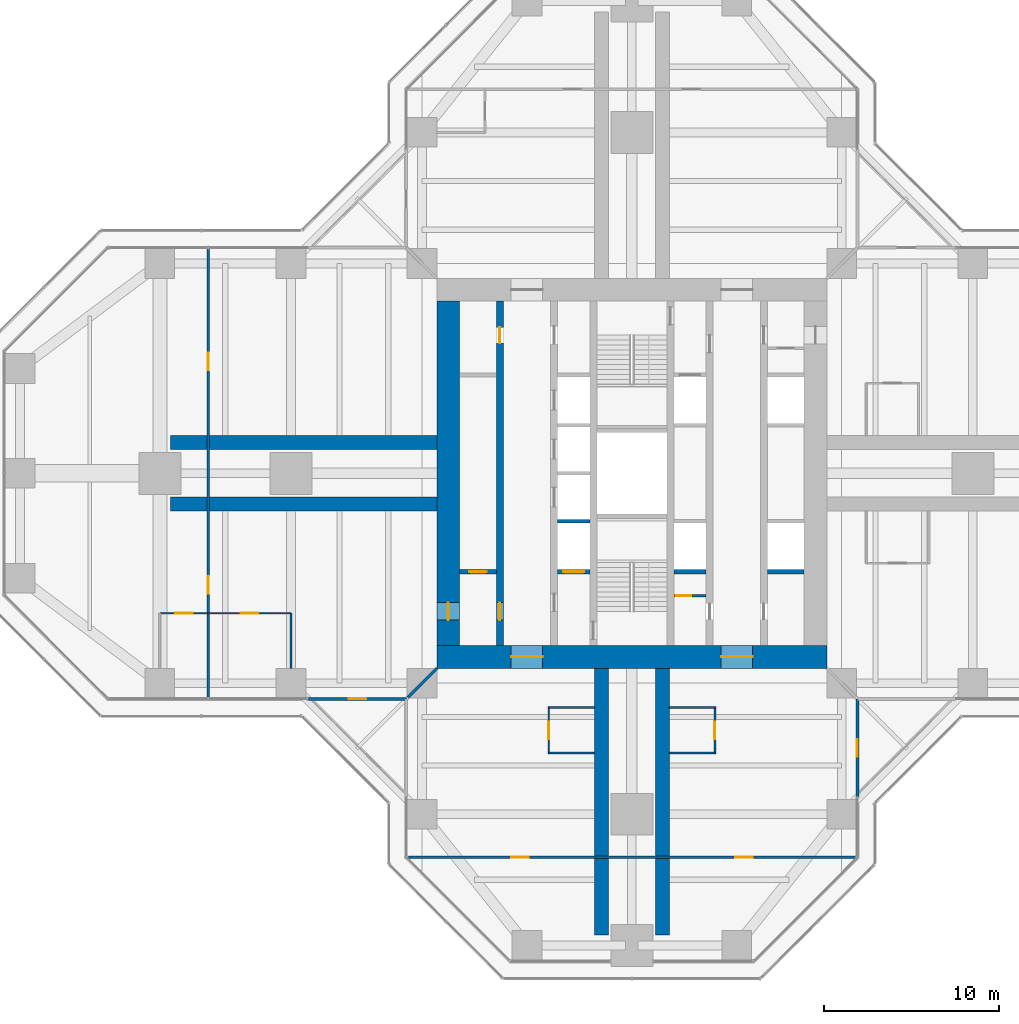
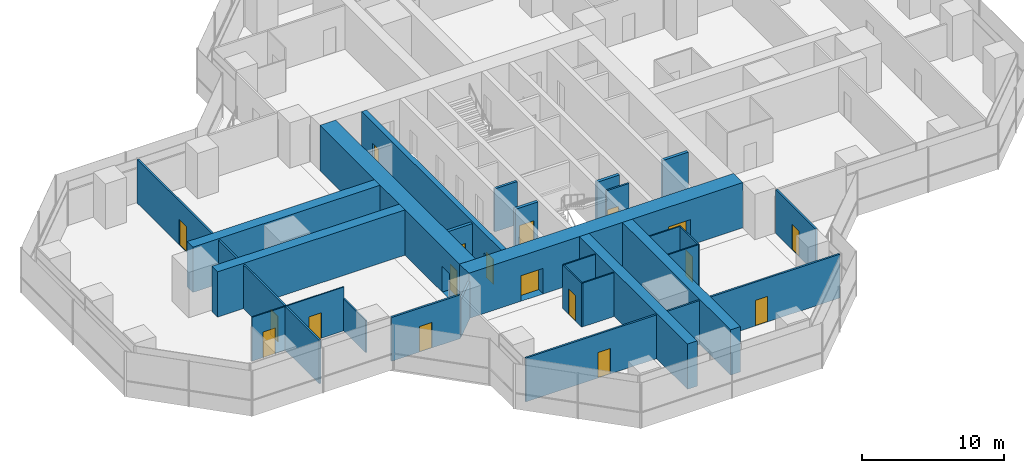
# One storey, part 15 of 19: 27 walls, 18 doors, 18 openings.
"""IFC4 building model written with IfcOpenShell, lengths in metres."""

from ifc_helpers import new_model, si_unit, direction, frame, frame_2d, origin, place, context, subcontext, project, spatial, rectangle, extrude, material, layer, layer_set, type_object, element, fill, save


model = new_model("IFC4")

# Units and contexts
model_context = context("Model", 3, precision=1e-05, world=origin(), true_north=direction((0.0, 1.0)))
body_context = subcontext(model_context, "Body", "Model", "MODEL_VIEW")
ifc_project = project(units=[si_unit("LENGTHUNIT", "METRE"), si_unit("AREAUNIT", "SQUARE_METRE"), si_unit("VOLUMEUNIT", "CUBIC_METRE"), si_unit("PLANEANGLEUNIT", "RADIAN"), si_unit("MASSUNIT", "GRAM", prefix="KILO")], contexts=[model_context])

# Site, building, storey
site_placement = place(None, origin())
site = spatial("IfcSite", under=ifc_project, at=site_placement, CompositionType="ELEMENT")
building_placement = place(site_placement, origin())
building = spatial("IfcBuilding", under=site, at=building_placement, Name="Mizan Broadcast Tower", CompositionType="ELEMENT")
storey_placement = place(building_placement, frame((0.0, 0.0, 186.60009765625)))
storey = spatial("IfcBuildingStorey", under=building, at=storey_placement, Name="L43", CompositionType="ELEMENT", Elevation=186.60009765625)

# Wall, openings, doors
ifc_material_1 = material(Name="Concrete C70/85", Category="concrete")
ifc_layer_1 = layer(ifc_material_1, 0.39990234375)
ifc_layer_set_1 = layer_set([ifc_layer_1], Name="Concrete C70/85")
wall_type_1 = type_object("IfcWallType", Name="CORE INTERNAL WALL 400", PredefinedType="SHEAR", material=ifc_layer_set_1)
wall_1_placement = place(storey_placement, frame((-7.550048828125, -9.85009765625, 0.0), z_axis=(0.0, 0.0, 1.0), x_axis=(0.0, 1.0, 0.0)))
wall_1 = element("IfcWall", 1, at=wall_1_placement, inside=storey, type_object=wall_type_1, Name="Core wall CORE/XW1", PredefinedType="SHEAR", context=body_context, shape_type="SweptSolid", body=[
    extrude(rectangle(XDim=19.7001953125, YDim=0.39990234375, at=frame_2d((9.85009765625, 0.0))), origin(), (0.0, 0.0, 1.0), 3.89990234375),
])
opening_1_placement = place(wall_1_placement, frame((1.449951171875, 0.0, 0.0)))
opening_1 = element("IfcOpeningElement", 2, at=opening_1_placement, cuts=wall_1, Name="Opening D10F", PredefinedType="OPENING", context=body_context, shape_type="SweptSolid", body=[
    extrude(rectangle(XDim=1.0, YDim=2.199951171875, at=frame_2d((0.5, 1.10009765625))), frame((0.0, 0.2099609375, 0.0), z_axis=(0.0, -1.0, 0.0), x_axis=(1.0, 0.0, 0.0)), (0.0, 0.0, 1.0), 0.419921875),
])
opening_2_placement = place(wall_1_placement, frame((17.300048828125, 0.0, 0.0)))
opening_2 = element("IfcOpeningElement", 3, at=opening_2_placement, cuts=wall_1, Name="Opening D09", PredefinedType="OPENING", context=body_context, shape_type="SweptSolid", body=[
    extrude(rectangle(XDim=0.89990234375, YDim=2.10009765625, at=frame_2d((0.449951171875, 1.050048828125))), frame((0.0, 0.2099609375, 0.0), z_axis=(0.0, -1.0, 0.0), x_axis=(1.0, 0.0, 0.0)), (0.0, 0.0, 1.0), 0.419921875),
])
ifc_material_2 = material(Name="Steel door leaf in steel frame", Category="steel")
door_type_1 = type_object("IfcDoorType", Name="FIRE DOOR 1000 FD90", OperationType="SINGLE_SWING_LEFT", PredefinedType="DOOR", material=ifc_material_2)
door_1_placement = place(opening_1_placement, origin())
door_1 = element("IfcDoor", 4, at=door_1_placement, inside=storey, type_object=door_type_1, Name="West core passage door", OperationType="SINGLE_SWING_LEFT", OverallHeight=2.199951171875, OverallWidth=1.0, PredefinedType="DOOR", context=body_context, shape_type="SweptSolid", body=[
    extrude(rectangle(XDim=1.0, YDim=2.199951171875, at=frame_2d((0.5, 1.10009765625))), frame((0.0, 0.02490234375, 0.0), z_axis=(0.0, -1.0, 0.0), x_axis=(1.0, 0.0, 0.0)), (0.0, 0.0, 1.0), 0.050048828125),
])
fill(opening_1, door_1)
ifc_material_3 = material(Name="Timber door leaf in aluminium frame", Category="wood")
door_type_2 = type_object("IfcDoorType", Name="TOILET DOOR 900", OperationType="SINGLE_SWING_LEFT", PredefinedType="DOOR", material=ifc_material_3)
door_2_placement = place(opening_2_placement, origin())
door_2 = element("IfcDoor", 5, at=door_2_placement, inside=storey, type_object=door_type_2, Name="Male WC door", OperationType="SINGLE_SWING_RIGHT", OverallHeight=2.10009765625, OverallWidth=0.89990234375, PredefinedType="DOOR", context=body_context, shape_type="SweptSolid", body=[
    extrude(rectangle(XDim=0.89990234375, YDim=2.10009765625, at=frame_2d((0.449951171875, 1.050048828125))), frame((0.0, 0.02490234375, 0.0), z_axis=(0.0, -1.0, 0.0), x_axis=(1.0, 0.0, 0.0)), (0.0, 0.0, 1.0), 0.050048828125),
])
fill(opening_2, door_2)

# Wall, opening, door
ifc_material_4 = material(Name="Concrete blockwork", Category="masonry")
ifc_layer_2 = layer(ifc_material_4, 0.14990234375)
ifc_layer_set_2 = layer_set([ifc_layer_2], Name="Concrete blockwork")
wall_type_2 = type_object("IfcWallType", Name="CORE PARTITION 150", PredefinedType="SOLIDWALL", material=ifc_layer_set_2)
wall_2_placement = place(storey_placement, frame((2.39990234375, -7.0, 0.0), z_axis=(0.0, 0.0, 1.0), x_axis=(1.0, 0.0, 0.0)))
wall_2 = element("IfcWall", 6, at=wall_2_placement, inside=storey, type_object=wall_type_2, Name="Core partition CORE/XPC", PredefinedType="SOLIDWALL", context=body_context, shape_type="SweptSolid", body=[
    extrude(rectangle(XDim=1.85009765625, YDim=0.14990234375, at=frame_2d((0.925048828125, 0.0))), origin(), (0.0, 0.0, 1.0), 3.77001953125),
])
opening_3_placement = place(wall_2_placement, frame((0.10009765625, 0.0, 0.0)))
opening_3 = element("IfcOpeningElement", 7, at=opening_3_placement, cuts=wall_2, Name="Opening D09F", PredefinedType="OPENING", context=body_context, shape_type="SweptSolid", body=[
    extrude(rectangle(XDim=0.89990234375, YDim=2.10009765625, at=frame_2d((0.449951171875, 1.050048828125))), frame((0.0, 0.0849609375, 0.0), z_axis=(0.0, -1.0, 0.0), x_axis=(1.0, 0.0, 0.0)), (0.0, 0.0, 1.0), 0.169921875),
])
ifc_material_5 = material(Name="Steel door leaf in steel frame", Category="steel")
door_type_3 = type_object("IfcDoorType", Name="CORE ROOM DOOR 900 FD90", OperationType="SINGLE_SWING_LEFT", PredefinedType="DOOR", material=ifc_material_5)
door_3_placement = place(opening_3_placement, origin())
door_3 = element("IfcDoor", 8, at=door_3_placement, inside=storey, type_object=door_type_3, Name="Cleaning materials store door", OperationType="SINGLE_SWING_LEFT", OverallHeight=2.10009765625, OverallWidth=0.89990234375, PredefinedType="DOOR", context=body_context, shape_type="SweptSolid", body=[
    extrude(rectangle(XDim=0.89990234375, YDim=2.10009765625, at=frame_2d((0.449951171875, 1.050048828125))), frame((0.0, 0.02490234375, 0.0), z_axis=(0.0, -1.0, 0.0), x_axis=(1.0, 0.0, 0.0)), (0.0, 0.0, 1.0), 0.050048828125),
])
fill(opening_3, door_3)

# Wall, openings, doors
ifc_material_6 = material(Name="Concrete C70/85", Category="concrete")
ifc_layer_3 = layer(ifc_material_6, 1.300048828125)
ifc_layer_set_3 = layer_set([ifc_layer_3], Name="Concrete C70/85")
wall_type_3 = type_object("IfcWallType", Name="CORE WALL 1300", PredefinedType="SHEAR", material=ifc_layer_set_3)
wall_3_placement = place(storey_placement, frame((11.14990234375, -10.5, 0.0), z_axis=(0.0, 0.0, 1.0), x_axis=(-1.0, 0.0, 0.0)))
wall_3 = element("IfcWall", 9, at=wall_3_placement, inside=storey, type_object=wall_type_3, Name="Core wall S L43", PredefinedType="SHEAR", context=body_context, shape_type="SweptSolid", body=[
    extrude(rectangle(XDim=22.2998046875, YDim=1.300048828125, at=frame_2d((11.14990234375, 0.0))), origin(), (0.0, 0.0, 1.0), 3.89990234375),
])
opening_4_placement = place(wall_3_placement, frame((16.25, 0.0, 0.0)))
opening_4 = element("IfcOpeningElement", 10, at=opening_4_placement, cuts=wall_3, Name="Opening D18F", PredefinedType="OPENING", context=body_context, shape_type="SweptSolid", body=[
    extrude(rectangle(XDim=1.800048828125, YDim=2.199951171875, at=frame_2d((0.89990234375, 1.10009765625))), frame((0.0, 0.659912109375, 0.0), z_axis=(0.0, -1.0, 0.0), x_axis=(1.0, 0.0, 0.0)), (0.0, 0.0, 1.0), 1.320068359375),
])
opening_5_placement = place(wall_3_placement, frame((4.25, 0.0, 0.0)))
opening_5 = element("IfcOpeningElement", 11, at=opening_5_placement, cuts=wall_3, Name="Opening D18F", PredefinedType="OPENING", context=body_context, shape_type="SweptSolid", body=[
    extrude(rectangle(XDim=1.800048828125, YDim=2.199951171875, at=frame_2d((0.89990234375, 1.10009765625))), frame((0.0, 0.659912109375, 0.0), z_axis=(0.0, -1.0, 0.0), x_axis=(1.0, 0.0, 0.0)), (0.0, 0.0, 1.0), 1.320068359375),
])
ifc_material_7 = material(Name="Steel door leaf in steel frame", Category="steel")
door_type_4 = type_object("IfcDoorType", Name="LOBBY DOUBLE DOOR 1800 FD90", OperationType="DOUBLE_DOOR_DOUBLE_SWING", PredefinedType="DOOR", material=ifc_material_7)
door_4_placement = place(opening_4_placement, origin())
door_4 = element("IfcDoor", 12, at=door_4_placement, inside=storey, type_object=door_type_4, Name="West lift lobby south door", OperationType="DOUBLE_DOOR_DOUBLE_SWING", OverallHeight=2.199951171875, OverallWidth=1.800048828125, PredefinedType="DOOR", context=body_context, shape_type="SweptSolid", body=[
    extrude(rectangle(XDim=1.800048828125, YDim=2.199951171875, at=frame_2d((0.89990234375, 1.10009765625))), frame((0.0, 0.02490234375, 0.0), z_axis=(0.0, -1.0, 0.0), x_axis=(1.0, 0.0, 0.0)), (0.0, 0.0, 1.0), 0.050048828125),
])
fill(opening_4, door_4)
door_5_placement = place(opening_5_placement, origin())
door_5 = element("IfcDoor", 13, at=door_5_placement, inside=storey, type_object=door_type_4, Name="East lift lobby south door", OperationType="DOUBLE_DOOR_DOUBLE_SWING", OverallHeight=2.199951171875, OverallWidth=1.800048828125, PredefinedType="DOOR", context=body_context, shape_type="SweptSolid", body=[
    extrude(rectangle(XDim=1.800048828125, YDim=2.199951171875, at=frame_2d((0.89990234375, 1.10009765625))), frame((0.0, 0.02490234375, 0.0), z_axis=(0.0, -1.0, 0.0), x_axis=(1.0, 0.0, 0.0)), (0.0, 0.0, 1.0), 0.050048828125),
])
fill(opening_5, door_5)

# Wall, opening, door
wall_4_placement = place(storey_placement, frame((-10.5, 9.85009765625, 0.0), z_axis=(0.0, 0.0, 1.0), x_axis=(0.0, -1.0, 0.0)))
wall_4 = element("IfcWall", 14, at=wall_4_placement, inside=storey, type_object=wall_type_3, Name="Core wall W L43", PredefinedType="SHEAR", context=body_context, shape_type="SweptSolid", body=[
    extrude(rectangle(XDim=19.7001953125, YDim=1.300048828125, at=frame_2d((9.85009765625, 0.0))), origin(), (0.0, 0.0, 1.0), 3.89990234375),
])
opening_6_placement = place(wall_4_placement, frame((17.25, 0.0, 0.0)))
opening_6 = element("IfcOpeningElement", 15, at=opening_6_placement, cuts=wall_4, Name="Opening D10F", PredefinedType="OPENING", context=body_context, shape_type="SweptSolid", body=[
    extrude(rectangle(XDim=1.0, YDim=2.199951171875, at=frame_2d((0.5, 1.10009765625))), frame((0.0, 0.659912109375, 0.0), z_axis=(0.0, -1.0, 0.0), x_axis=(1.0, 0.0, 0.0)), (0.0, 0.0, 1.0), 1.320068359375),
])
door_6_placement = place(opening_6_placement, origin())
door_6 = element("IfcDoor", 16, at=door_6_placement, inside=storey, type_object=door_type_1, Name="West core passage arm door", OperationType="SINGLE_SWING_RIGHT", OverallHeight=2.199951171875, OverallWidth=1.0, PredefinedType="DOOR", context=body_context, shape_type="SweptSolid", body=[
    extrude(rectangle(XDim=1.0, YDim=2.199951171875, at=frame_2d((0.5, 1.10009765625))), frame((0.0, 0.02490234375, 0.0), z_axis=(0.0, -1.0, 0.0), x_axis=(1.0, 0.0, 0.0)), (0.0, 0.0, 1.0), 0.050048828125),
])
fill(opening_6, door_6)

ifc_material_8 = material(Name="Aluminium framed glazed screen", Category="aluminium")
ifc_layer_4 = layer(ifc_material_8, 0.159912109375)
ifc_layer_set_4 = layer_set([ifc_layer_4], Name="Aluminium framed glazed screen")
wall_type_4 = type_object("IfcWallType", Name="GLAZED SCREEN WALL 160", PredefinedType="SOLIDWALL", material=ifc_layer_set_4)
wall_5_placement = place(storey_placement, frame((-18.5, -12.89990234375, 0.0), z_axis=(0.0, 0.0, 1.0), x_axis=(1.0, 0.0, 0.0)))
wall_5 = element("IfcWall", 17, at=wall_5_placement, inside=storey, type_object=wall_type_4, Name="Winter garden screen L43 W", PredefinedType="SOLIDWALL", context=body_context, shape_type="SweptSolid", body=[
    extrude(rectangle(XDim=5.60009765625, YDim=0.159912109375, at=frame_2d((2.800048828125, 0.0))), origin(), (0.0, 0.0, 1.0), 3.77001953125),
])
opening_7_placement = place(wall_5_placement, frame((2.300048828125, 0.0, 0.0)))
opening_7 = element("IfcOpeningElement", 18, at=opening_7_placement, cuts=wall_5, Name="Opening WGD", PredefinedType="OPENING", context=body_context, shape_type="SweptSolid", body=[
    extrude(rectangle(XDim=1.0, YDim=2.199951171875, at=frame_2d((0.5, 1.10009765625))), frame((0.0, 0.08984375, 0.0), z_axis=(0.0, -1.0, 0.0), x_axis=(1.0, 0.0, 0.0)), (0.0, 0.0, 1.0), 0.179931640625),
])
ifc_material_9 = material(Name="Aluminium framed glazed door", Category="aluminium")
door_type_5 = type_object("IfcDoorType", Name="WINTER GARDEN DOOR 1000 GLAZED", OperationType="SINGLE_SWING_LEFT", PredefinedType="DOOR", material=ifc_material_9)
door_7_placement = place(opening_7_placement, origin())
door_7 = element("IfcDoor", 19, at=door_7_placement, inside=storey, type_object=door_type_5, Name="Winter garden door L43 W", OperationType="SINGLE_SWING_RIGHT", OverallHeight=2.199951171875, OverallWidth=1.0, PredefinedType="DOOR", context=body_context, shape_type="SweptSolid", body=[
    extrude(rectangle(XDim=1.0, YDim=2.199951171875, at=frame_2d((0.5, 1.10009765625))), frame((0.0, 0.02490234375, 0.0), z_axis=(0.0, -1.0, 0.0), x_axis=(1.0, 0.0, 0.0)), (0.0, 0.0, 1.0), 0.050048828125),
])
fill(opening_7, door_7)

wall_6_placement = place(storey_placement, frame((12.89990234375, -18.5, 0.0), z_axis=(0.0, 0.0, 1.0), x_axis=(0.0, 1.0, 0.0)))
wall_6 = element("IfcWall", 20, at=wall_6_placement, inside=storey, type_object=wall_type_4, Name="Winter garden screen L43 S", PredefinedType="SOLIDWALL", context=body_context, shape_type="SweptSolid", body=[
    extrude(rectangle(XDim=5.60009765625, YDim=0.159912109375, at=frame_2d((2.800048828125, 0.0))), origin(), (0.0, 0.0, 1.0), 3.77001953125),
])
opening_8_placement = place(wall_6_placement, frame((2.300048828125, 0.0, 0.0)))
opening_8 = element("IfcOpeningElement", 21, at=opening_8_placement, cuts=wall_6, Name="Opening WGD", PredefinedType="OPENING", context=body_context, shape_type="SweptSolid", body=[
    extrude(rectangle(XDim=1.0, YDim=2.199951171875, at=frame_2d((0.5, 1.10009765625))), frame((0.0, 0.08984375, 0.0), z_axis=(0.0, -1.0, 0.0), x_axis=(1.0, 0.0, 0.0)), (0.0, 0.0, 1.0), 0.179931640625),
])
door_8_placement = place(opening_8_placement, origin())
door_8 = element("IfcDoor", 22, at=door_8_placement, inside=storey, type_object=door_type_5, Name="Winter garden door L43 S", OperationType="SINGLE_SWING_RIGHT", OverallHeight=2.199951171875, OverallWidth=1.0, PredefinedType="DOOR", context=body_context, shape_type="SweptSolid", body=[
    extrude(rectangle(XDim=1.0, YDim=2.199951171875, at=frame_2d((0.5, 1.10009765625))), frame((0.0, 0.02490234375, 0.0), z_axis=(0.0, -1.0, 0.0), x_axis=(1.0, 0.0, 0.0)), (0.0, 0.0, 1.0), 0.050048828125),
])
fill(opening_8, door_8)

# Wall
ifc_material_10 = material(Name="Concrete blockwork", Category="masonry")
ifc_layer_5 = layer(ifc_material_10, 0.199951171875)
ifc_layer_set_5 = layer_set([ifc_layer_5], Name="Concrete blockwork")
wall_type_5 = type_object("IfcWallType", Name="LIFT SHAFT WALL 200", PredefinedType="SOLIDWALL", material=ifc_layer_set_5)
wall_7_placement = place(storey_placement, frame((-4.25, -2.75, 0.0), z_axis=(0.0, 0.0, 1.0), x_axis=(1.0, 0.0, 0.0)))
element("IfcWall", 23, at=wall_7_placement, inside=storey, type_object=wall_type_5, Name="Lift shaft wall CORE/SW2-1", PredefinedType="SOLIDWALL", context=body_context, shape_type="SweptSolid", body=[
    extrude(rectangle(XDim=1.85009765625, YDim=0.199951171875, at=frame_2d((0.925048828125, 0.0))), origin(), (0.0, 0.0, 1.0), 3.699951171875),
])

# Wall, opening, door
ifc_material_11 = material(Name="Concrete blockwork", Category="masonry")
ifc_layer_6 = layer(ifc_material_11, 0.25)
ifc_layer_set_6 = layer_set([ifc_layer_6], Name="Concrete blockwork")
wall_type_6 = type_object("IfcWallType", Name="LOBBY ENCLOSURE WALL 250", PredefinedType="SOLIDWALL", material=ifc_layer_set_6)
wall_8_placement = place(storey_placement, frame((-9.85009765625, -5.625, 0.0), z_axis=(0.0, 0.0, 1.0), x_axis=(1.0, 0.0, 0.0)))
wall_8 = element("IfcWall", 24, at=wall_8_placement, inside=storey, type_object=wall_type_6, Name="Lobby enclosure wall CORE/BW1S", PredefinedType="SOLIDWALL", context=body_context, shape_type="SweptSolid", body=[
    extrude(rectangle(XDim=2.10009765625, YDim=0.25, at=frame_2d((1.050048828125, 0.0))), origin(), (0.0, 0.0, 1.0), 3.699951171875),
])
opening_9_placement = place(wall_8_placement, frame((0.550048828125, 0.0, 0.0)))
opening_9 = element("IfcOpeningElement", 25, at=opening_9_placement, cuts=wall_8, Name="Opening D10F", PredefinedType="OPENING", context=body_context, shape_type="SweptSolid", body=[
    extrude(rectangle(XDim=1.0, YDim=2.199951171875, at=frame_2d((0.5, 1.10009765625))), frame((0.0, 0.135009765625, 0.0), z_axis=(0.0, -1.0, 0.0), x_axis=(1.0, 0.0, 0.0)), (0.0, 0.0, 1.0), 0.27001953125),
])
door_9_placement = place(opening_9_placement, origin())
door_9 = element("IfcDoor", 26, at=door_9_placement, inside=storey, type_object=door_type_1, Name="Furniture store door", OperationType="SINGLE_SWING_RIGHT", OverallHeight=2.199951171875, OverallWidth=1.0, PredefinedType="DOOR", context=body_context, shape_type="SweptSolid", body=[
    extrude(rectangle(XDim=1.0, YDim=2.199951171875, at=frame_2d((0.5, 1.10009765625))), frame((0.0, 0.02490234375, 0.0), z_axis=(0.0, -1.0, 0.0), x_axis=(1.0, 0.0, 0.0)), (0.0, 0.0, 1.0), 0.050048828125),
])
fill(opening_9, door_9)

wall_9_placement = place(storey_placement, frame((-4.25, -5.625, 0.0), z_axis=(0.0, 0.0, 1.0), x_axis=(1.0, 0.0, 0.0)))
wall_9 = element("IfcWall", 27, at=wall_9_placement, inside=storey, type_object=wall_type_6, Name="Lobby enclosure wall CORE/BW2S", PredefinedType="SOLIDWALL", context=body_context, shape_type="SweptSolid", body=[
    extrude(rectangle(XDim=1.85009765625, YDim=0.25, at=frame_2d((0.925048828125, 0.0))), origin(), (0.0, 0.0, 1.0), 3.699951171875),
])
opening_10_placement = place(wall_9_placement, frame((0.324951171875, 0.0, 0.0)))
opening_10 = element("IfcOpeningElement", 28, at=opening_10_placement, cuts=wall_9, Name="Opening LDF", PredefinedType="OPENING", context=body_context, shape_type="SweptSolid", body=[
    extrude(rectangle(XDim=1.199951171875, YDim=2.199951171875, at=frame_2d((0.60009765625, 1.10009765625))), frame((0.0, 0.135009765625, 0.0), z_axis=(0.0, -1.0, 0.0), x_axis=(1.0, 0.0, 0.0)), (0.0, 0.0, 1.0), 0.27001953125),
])
ifc_material_12 = material(Name="Steel door leaf in steel frame", Category="steel")
door_type_6 = type_object("IfcDoorType", Name="FIREFIGHTING LIFT LANDING DOOR 1200", OperationType="SLIDING_TO_LEFT", PredefinedType="DOOR", material=ifc_material_12)
door_10_placement = place(opening_10_placement, origin())
door_10 = element("IfcDoor", 29, at=door_10_placement, inside=storey, type_object=door_type_6, Name="Landing door FF1", OperationType="SLIDING_TO_LEFT", OverallHeight=2.199951171875, OverallWidth=1.199951171875, PredefinedType="DOOR", context=body_context, shape_type="SweptSolid", body=[
    extrude(rectangle(XDim=1.199951171875, YDim=2.199951171875, at=frame_2d((0.60009765625, 1.10009765625))), frame((0.0, 0.02490234375, 0.0), z_axis=(0.0, -1.0, 0.0), x_axis=(1.0, 0.0, 0.0)), (0.0, 0.0, 1.0), 0.050048828125),
])
fill(opening_10, door_10)

# Walls
wall_10_placement = place(storey_placement, frame((2.39990234375, -5.625, 0.0), z_axis=(0.0, 0.0, 1.0), x_axis=(1.0, 0.0, 0.0)))
element("IfcWall", 30, at=wall_10_placement, inside=storey, type_object=wall_type_6, Name="Lobby enclosure wall CORE/BE2S", PredefinedType="SOLIDWALL", context=body_context, shape_type="SweptSolid", body=[
    extrude(rectangle(XDim=1.85009765625, YDim=0.25, at=frame_2d((0.925048828125, 0.0))), origin(), (0.0, 0.0, 1.0), 3.699951171875),
])
wall_11_placement = place(storey_placement, frame((7.75, -5.625, 0.0), z_axis=(0.0, 0.0, 1.0), x_axis=(1.0, 0.0, 0.0)))
element("IfcWall", 31, at=wall_11_placement, inside=storey, type_object=wall_type_6, Name="Lobby enclosure wall CORE/BE1S", PredefinedType="SOLIDWALL", context=body_context, shape_type="SweptSolid", body=[
    extrude(rectangle(XDim=2.10009765625, YDim=0.25, at=frame_2d((1.050048828125, 0.0))), origin(), (0.0, 0.0, 1.0), 3.699951171875),
])

# Wall, openings, doors
ifc_material_13 = material(Name="Gypsum board on steel studs", Category="steel")
ifc_layer_7 = layer(ifc_material_13, 0.14990234375)
ifc_layer_set_7 = layer_set([ifc_layer_7], Name="Gypsum board on steel studs")
wall_type_7 = type_object("IfcWallType", Name="PARTITION 150", PredefinedType="PARTITIONING", material=ifc_layer_set_7)
wall_12_placement = place(storey_placement, frame((-24.22900390625, 12.820068359375, 0.0), z_axis=(0.0, 0.0, 1.0), x_axis=(0.0, -1.0, 0.0)))
wall_12 = element("IfcWall", 32, at=wall_12_placement, inside=storey, type_object=wall_type_7, Name="Partition PT/WX1", PredefinedType="PARTITIONING", context=body_context, shape_type="SweptSolid", body=[
    extrude(rectangle(XDim=25.64013671875, YDim=0.14990234375, at=frame_2d((12.820068359375, 0.0))), origin(), (0.0, 0.0, 1.0), 3.77001953125),
])
opening_11_placement = place(wall_12_placement, frame((18.719970703125, 0.0, 0.0)))
opening_11 = element("IfcOpeningElement", 33, at=opening_11_placement, cuts=wall_12, Name="Opening D10", PredefinedType="OPENING", context=body_context, shape_type="SweptSolid", body=[
    extrude(rectangle(XDim=1.0, YDim=2.199951171875, at=frame_2d((0.5, 1.10009765625))), frame((0.0, 0.0849609375, 0.0), z_axis=(0.0, -1.0, 0.0), x_axis=(1.0, 0.0, 0.0)), (0.0, 0.0, 1.0), 0.169921875),
])
opening_12_placement = place(wall_12_placement, frame((5.919921875, 0.0, 0.0)))
opening_12 = element("IfcOpeningElement", 34, at=opening_12_placement, cuts=wall_12, Name="Opening D10", PredefinedType="OPENING", context=body_context, shape_type="SweptSolid", body=[
    extrude(rectangle(XDim=1.0, YDim=2.199951171875, at=frame_2d((0.5, 1.10009765625))), frame((0.0, 0.0849609375, 0.0), z_axis=(0.0, -1.0, 0.0), x_axis=(1.0, 0.0, 0.0)), (0.0, 0.0, 1.0), 0.169921875),
])
ifc_material_14 = material(Name="Timber door leaf in aluminium frame", Category="wood")
door_type_7 = type_object("IfcDoorType", Name="ROOM DOOR 1000", OperationType="SINGLE_SWING_LEFT", PredefinedType="DOOR", material=ifc_material_14)
door_11_placement = place(opening_11_placement, origin())
door_11 = element("IfcDoor", 35, at=door_11_placement, inside=storey, type_object=door_type_7, Name="Meeting room door", OperationType="SINGLE_SWING_RIGHT", OverallHeight=2.199951171875, OverallWidth=1.0, PredefinedType="DOOR", context=body_context, shape_type="SweptSolid", body=[
    extrude(rectangle(XDim=1.0, YDim=2.199951171875, at=frame_2d((0.5, 1.10009765625))), frame((0.0, 0.02490234375, 0.0), z_axis=(0.0, -1.0, 0.0), x_axis=(1.0, 0.0, 0.0)), (0.0, 0.0, 1.0), 0.050048828125),
])
fill(opening_11, door_11)
door_12_placement = place(opening_12_placement, origin())
door_12 = element("IfcDoor", 36, at=door_12_placement, inside=storey, type_object=door_type_7, Name="Meeting room door", OperationType="SINGLE_SWING_LEFT", OverallHeight=2.199951171875, OverallWidth=1.0, PredefinedType="DOOR", context=body_context, shape_type="SweptSolid", body=[
    extrude(rectangle(XDim=1.0, YDim=2.199951171875, at=frame_2d((0.5, 1.10009765625))), frame((0.0, 0.02490234375, 0.0), z_axis=(0.0, -1.0, 0.0), x_axis=(1.0, 0.0, 0.0)), (0.0, 0.0, 1.0), 0.050048828125),
])
fill(opening_12, door_12)

wall_13_placement = place(storey_placement, frame((-12.786376953125, -21.958984375, 0.0), z_axis=(0.0, 0.0, 1.0), x_axis=(1.0, 0.0, 0.0)))
wall_13 = element("IfcWall", 37, at=wall_13_placement, inside=storey, type_object=wall_type_7, Name="Partition PT/SX1", PredefinedType="PARTITIONING", context=body_context, shape_type="SweptSolid", body=[
    extrude(rectangle(XDim=25.57275390625, YDim=0.14990234375, at=frame_2d((12.786376953125, 0.0))), origin(), (0.0, 0.0, 1.0), 3.77001953125),
])
opening_13_placement = place(wall_13_placement, frame((18.6865234375, 0.0, 0.0)))
opening_13 = element("IfcOpeningElement", 38, at=opening_13_placement, cuts=wall_13, Name="Opening D10", PredefinedType="OPENING", context=body_context, shape_type="SweptSolid", body=[
    extrude(rectangle(XDim=1.0, YDim=2.199951171875, at=frame_2d((0.5, 1.10009765625))), frame((0.0, 0.0849609375, 0.0), z_axis=(0.0, -1.0, 0.0), x_axis=(1.0, 0.0, 0.0)), (0.0, 0.0, 1.0), 0.169921875),
])
opening_14_placement = place(wall_13_placement, frame((5.886474609375, 0.0, 0.0)))
opening_14 = element("IfcOpeningElement", 39, at=opening_14_placement, cuts=wall_13, Name="Opening D10", PredefinedType="OPENING", context=body_context, shape_type="SweptSolid", body=[
    extrude(rectangle(XDim=1.0, YDim=2.199951171875, at=frame_2d((0.5, 1.10009765625))), frame((0.0, 0.0849609375, 0.0), z_axis=(0.0, -1.0, 0.0), x_axis=(1.0, 0.0, 0.0)), (0.0, 0.0, 1.0), 0.169921875),
])
door_13_placement = place(opening_13_placement, origin())
door_13 = element("IfcDoor", 40, at=door_13_placement, inside=storey, type_object=door_type_7, Name="Meeting room door", OperationType="SINGLE_SWING_RIGHT", OverallHeight=2.199951171875, OverallWidth=1.0, PredefinedType="DOOR", context=body_context, shape_type="SweptSolid", body=[
    extrude(rectangle(XDim=1.0, YDim=2.199951171875, at=frame_2d((0.5, 1.10009765625))), frame((0.0, 0.02490234375, 0.0), z_axis=(0.0, -1.0, 0.0), x_axis=(1.0, 0.0, 0.0)), (0.0, 0.0, 1.0), 0.050048828125),
])
fill(opening_13, door_13)
door_14_placement = place(opening_14_placement, origin())
door_14 = element("IfcDoor", 41, at=door_14_placement, inside=storey, type_object=door_type_7, Name="Meeting room door", OperationType="SINGLE_SWING_LEFT", OverallHeight=2.199951171875, OverallWidth=1.0, PredefinedType="DOOR", context=body_context, shape_type="SweptSolid", body=[
    extrude(rectangle(XDim=1.0, YDim=2.199951171875, at=frame_2d((0.5, 1.10009765625))), frame((0.0, 0.02490234375, 0.0), z_axis=(0.0, -1.0, 0.0), x_axis=(1.0, 0.0, 0.0)), (0.0, 0.0, 1.0), 0.050048828125),
])
fill(opening_14, door_14)

# Wall
wall_14_placement = place(storey_placement, frame((-11.14990234375, -11.14990234375, 0.0), z_axis=(0.0, 0.0, 1.0), x_axis=(-0.707106781187, -0.707106781187, 0.0)))
element("IfcWall", 42, at=wall_14_placement, inside=storey, type_object=wall_type_7, Name="Partition PT/DGWS", PredefinedType="PARTITIONING", context=body_context, shape_type="SweptSolid", body=[
    extrude(rectangle(XDim=2.362060546875, YDim=0.14990234375, at=frame_2d((1.18115234375, 0.0))), origin(), (0.0, 0.0, 1.0), 3.219970703125),
])

# Wall, opening, door
ifc_material_15 = material(Name="Glazed aluminium partition on aluminium track", Category="aluminium")
ifc_layer_8 = layer(ifc_material_15, 0.10009765625)
ifc_layer_set_8 = layer_set([ifc_layer_8], Name="Glazed aluminium partition on aluminium track")
wall_type_8 = type_object("IfcWallType", Name="PARTITION GLAZED OFFICE FRONT 100", PredefinedType="PARTITIONING", material=ifc_layer_set_8)
wall_15_placement = place(storey_placement, frame((-19.5, -8.0, 0.0), z_axis=(0.0, 0.0, 1.0), x_axis=(-1.0, 0.0, 0.0)))
wall_15 = element("IfcWall", 43, at=wall_15_placement, inside=storey, type_object=wall_type_8, Name="Glazed office front PT/WCP0", PredefinedType="PARTITIONING", context=body_context, shape_type="SweptSolid", body=[
    extrude(rectangle(XDim=4.72900390625, YDim=0.10009765625, at=frame_2d((2.364501953125, 0.0))), origin(), (0.0, 0.0, 1.0), 3.77001953125),
])
opening_15_placement = place(wall_15_placement, frame((1.864501953125, 0.0, 0.0)))
opening_15 = element("IfcOpeningElement", 44, at=opening_15_placement, cuts=wall_15, Name="Opening D10O", PredefinedType="OPENING", context=body_context, shape_type="SweptSolid", body=[
    extrude(rectangle(XDim=1.0, YDim=2.199951171875, at=frame_2d((0.5, 1.10009765625))), frame((0.0, 0.06005859375, 0.0), z_axis=(0.0, -1.0, 0.0), x_axis=(1.0, 0.0, 0.0)), (0.0, 0.0, 1.0), 0.1201171875),
])
ifc_material_16 = material(Name="Timber door leaf in aluminium frame", Category="wood")
door_type_8 = type_object("IfcDoorType", Name="OFFICE DOOR 1000 GLAZED", OperationType="SINGLE_SWING_LEFT", PredefinedType="DOOR", material=ifc_material_16)
door_15_placement = place(opening_15_placement, origin())
door_15 = element("IfcDoor", 45, at=door_15_placement, inside=storey, type_object=door_type_8, Name="Office door", OperationType="SINGLE_SWING_LEFT", OverallHeight=2.199951171875, OverallWidth=1.0, PredefinedType="DOOR", context=body_context, shape_type="SweptSolid", body=[
    extrude(rectangle(XDim=1.0, YDim=2.199951171875, at=frame_2d((0.5, 1.10009765625))), frame((0.0, 0.02490234375, 0.0), z_axis=(0.0, -1.0, 0.0), x_axis=(1.0, 0.0, 0.0)), (0.0, 0.0, 1.0), 0.050048828125),
])
fill(opening_15, door_15)

wall_16_placement = place(storey_placement, frame((-24.22900390625, -8.0, 0.0), z_axis=(0.0, 0.0, 1.0), x_axis=(-1.0, 0.0, 0.0)))
wall_16 = element("IfcWall", 46, at=wall_16_placement, inside=storey, type_object=wall_type_8, Name="Glazed office front PT/WCP1", PredefinedType="PARTITIONING", context=body_context, shape_type="SweptSolid", body=[
    extrude(rectangle(XDim=2.77099609375, YDim=0.10009765625, at=frame_2d((1.385498046875, 0.0))), origin(), (0.0, 0.0, 1.0), 3.77001953125),
])
opening_16_placement = place(wall_16_placement, frame((0.885498046875, 0.0, 0.0)))
opening_16 = element("IfcOpeningElement", 47, at=opening_16_placement, cuts=wall_16, Name="Opening D10O", PredefinedType="OPENING", context=body_context, shape_type="SweptSolid", body=[
    extrude(rectangle(XDim=1.0, YDim=2.199951171875, at=frame_2d((0.5, 1.10009765625))), frame((0.0, 0.06005859375, 0.0), z_axis=(0.0, -1.0, 0.0), x_axis=(1.0, 0.0, 0.0)), (0.0, 0.0, 1.0), 0.1201171875),
])
door_16_placement = place(opening_16_placement, origin())
door_16 = element("IfcDoor", 48, at=door_16_placement, inside=storey, type_object=door_type_8, Name="Office door", OperationType="SINGLE_SWING_LEFT", OverallHeight=2.199951171875, OverallWidth=1.0, PredefinedType="DOOR", context=body_context, shape_type="SweptSolid", body=[
    extrude(rectangle(XDim=1.0, YDim=2.199951171875, at=frame_2d((0.5, 1.10009765625))), frame((0.0, 0.02490234375, 0.0), z_axis=(0.0, -1.0, 0.0), x_axis=(1.0, 0.0, 0.0)), (0.0, 0.0, 1.0), 0.050048828125),
])
fill(opening_16, door_16)

# Walls
wall_17_placement = place(storey_placement, frame((-19.5, -8.0, 0.0), z_axis=(0.0, 0.0, 1.0), x_axis=(0.0, -1.0, 0.0)))
element("IfcWall", 49, at=wall_17_placement, inside=storey, type_object=wall_type_8, Name="Glazed office front PT/WQP1950", PredefinedType="PARTITIONING", context=body_context, shape_type="SweptSolid", body=[
    extrude(rectangle(XDim=3.14990234375, YDim=0.10009765625, at=frame_2d((1.574951171875, 0.0))), origin(), (0.0, 0.0, 1.0), 2.77001953125),
])
for number, where, z_axis, x_axis, name in (
    (50, (2.14990234375, -13.39990234375, 0.0), (0.0, 0.0, 1.0), (1.0, 0.0, 0.0), "Glazed office front PT/SKP0a"),
    (51, (2.14990234375, -16.0, 0.0), (0.0, 0.0, 1.0), (1.0, 0.0, 0.0), "Glazed office front PT/SKP0b"),
):
    element("IfcWall", number, at=place(storey_placement, frame(where, z_axis=z_axis, x_axis=x_axis)), inside=storey, type_object=wall_type_8, Name=name, PredefinedType="PARTITIONING", context=body_context, shape_type="SweptSolid", body=[
        extrude(rectangle(XDim=2.60009765625, YDim=0.10009765625, at=frame_2d((1.300048828125, 0.0))), origin(), (0.0, 0.0, 1.0), 3.77001953125),
    ])

# Wall, opening, door
wall_18_placement = place(storey_placement, frame((4.75, -13.35009765625, 0.0), z_axis=(0.0, 0.0, 1.0), x_axis=(0.0, -1.0, 0.0)))
wall_18 = element("IfcWall", 52, at=wall_18_placement, inside=storey, type_object=wall_type_8, Name="Glazed office front PT/SKP0f", PredefinedType="PARTITIONING", context=body_context, shape_type="SweptSolid", body=[
    extrude(rectangle(XDim=2.699951171875, YDim=0.10009765625, at=frame_2d((1.35009765625, 0.0))), origin(), (0.0, 0.0, 1.0), 3.77001953125),
])
opening_17_placement = place(wall_18_placement, frame((0.85009765625, 0.0, 0.0)))
opening_17 = element("IfcOpeningElement", 53, at=opening_17_placement, cuts=wall_18, Name="Opening D10O", PredefinedType="OPENING", context=body_context, shape_type="SweptSolid", body=[
    extrude(rectangle(XDim=1.0, YDim=2.199951171875, at=frame_2d((0.5, 1.10009765625))), frame((0.0, 0.06005859375, 0.0), z_axis=(0.0, -1.0, 0.0), x_axis=(1.0, 0.0, 0.0)), (0.0, 0.0, 1.0), 0.1201171875),
])
door_17_placement = place(opening_17_placement, origin())
door_17 = element("IfcDoor", 54, at=door_17_placement, inside=storey, type_object=door_type_8, Name="Meeting room door", OperationType="SINGLE_SWING_LEFT", OverallHeight=2.199951171875, OverallWidth=1.0, PredefinedType="DOOR", context=body_context, shape_type="SweptSolid", body=[
    extrude(rectangle(XDim=1.0, YDim=2.199951171875, at=frame_2d((0.5, 1.10009765625))), frame((0.0, 0.02490234375, 0.0), z_axis=(0.0, -1.0, 0.0), x_axis=(1.0, 0.0, 0.0)), (0.0, 0.0, 1.0), 0.050048828125),
])
fill(opening_17, door_17)

# Walls
for number, where, z_axis, x_axis, name in (
    (55, (-2.14990234375, -13.39990234375, 0.0), (0.0, 0.0, 1.0), (-1.0, 0.0, 0.0), "Glazed office front PT/SKN0a"),
    (56, (-2.14990234375, -16.0, 0.0), (0.0, 0.0, 1.0), (-1.0, 0.0, 0.0), "Glazed office front PT/SKN0b"),
):
    element("IfcWall", number, at=place(storey_placement, frame(where, z_axis=z_axis, x_axis=x_axis)), inside=storey, type_object=wall_type_8, Name=name, PredefinedType="PARTITIONING", context=body_context, shape_type="SweptSolid", body=[
        extrude(rectangle(XDim=2.60009765625, YDim=0.10009765625, at=frame_2d((1.300048828125, 0.0))), origin(), (0.0, 0.0, 1.0), 3.77001953125),
    ])

# Wall, opening, door
wall_19_placement = place(storey_placement, frame((-4.75, -13.35009765625, 0.0), z_axis=(0.0, 0.0, 1.0), x_axis=(0.0, -1.0, 0.0)))
wall_19 = element("IfcWall", 57, at=wall_19_placement, inside=storey, type_object=wall_type_8, Name="Glazed office front PT/SKN0f", PredefinedType="PARTITIONING", context=body_context, shape_type="SweptSolid", body=[
    extrude(rectangle(XDim=2.699951171875, YDim=0.10009765625, at=frame_2d((1.35009765625, 0.0))), origin(), (0.0, 0.0, 1.0), 3.77001953125),
])
opening_18_placement = place(wall_19_placement, frame((0.85009765625, 0.0, 0.0)))
opening_18 = element("IfcOpeningElement", 58, at=opening_18_placement, cuts=wall_19, Name="Opening D10O", PredefinedType="OPENING", context=body_context, shape_type="SweptSolid", body=[
    extrude(rectangle(XDim=1.0, YDim=2.199951171875, at=frame_2d((0.5, 1.10009765625))), frame((0.0, 0.06005859375, 0.0), z_axis=(0.0, -1.0, 0.0), x_axis=(1.0, 0.0, 0.0)), (0.0, 0.0, 1.0), 0.1201171875),
])
door_18_placement = place(opening_18_placement, origin())
door_18 = element("IfcDoor", 59, at=door_18_placement, inside=storey, type_object=door_type_8, Name="Meeting room door", OperationType="SINGLE_SWING_LEFT", OverallHeight=2.199951171875, OverallWidth=1.0, PredefinedType="DOOR", context=body_context, shape_type="SweptSolid", body=[
    extrude(rectangle(XDim=1.0, YDim=2.199951171875, at=frame_2d((0.5, 1.10009765625))), frame((0.0, 0.02490234375, 0.0), z_axis=(0.0, -1.0, 0.0), x_axis=(1.0, 0.0, 0.0)), (0.0, 0.0, 1.0), 0.050048828125),
])
fill(opening_18, door_18)

# Walls
ifc_material_17 = material(Name="Concrete C70/85", Category="concrete")
ifc_layer_9 = layer(ifc_material_17, 0.800048828125)
ifc_layer_set_9 = layer_set([ifc_layer_9], Name="Concrete C70/85")
wall_type_9 = type_object("IfcWallType", Name="SPINE WALL 800", PredefinedType="SHEAR", material=ifc_layer_set_9)
for number, where, z_axis, x_axis, name in (
    (60, (-11.14990234375, 1.75, 0.0), (0.0, 0.0, 1.0), (-1.0, 0.0, 0.0), "Spine wall WR L43"),
    (61, (-11.14990234375, -1.75, 0.0), (0.0, 0.0, 1.0), (-1.0, 0.0, 0.0), "Spine wall WL L43"),
    (62, (-1.75, -11.14990234375, 0.0), (0.0, 0.0, 1.0), (0.0, -1.0, 0.0), "Spine wall SR L43"),
    (63, (1.75, -11.14990234375, 0.0), (0.0, 0.0, 1.0), (0.0, -1.0, 0.0), "Spine wall SL L43"),
):
    element("IfcWall", number, at=place(storey_placement, frame(where, z_axis=z_axis, x_axis=x_axis)), inside=storey, type_object=wall_type_9, Name=name, PredefinedType="SHEAR", context=body_context, shape_type="SweptSolid", body=[
        extrude(rectangle(XDim=15.25, YDim=0.800048828125, at=frame_2d((7.625, 0.0))), origin(), (0.0, 0.0, 1.0), 3.89990234375),
    ])

save(model, "model.ifc")
